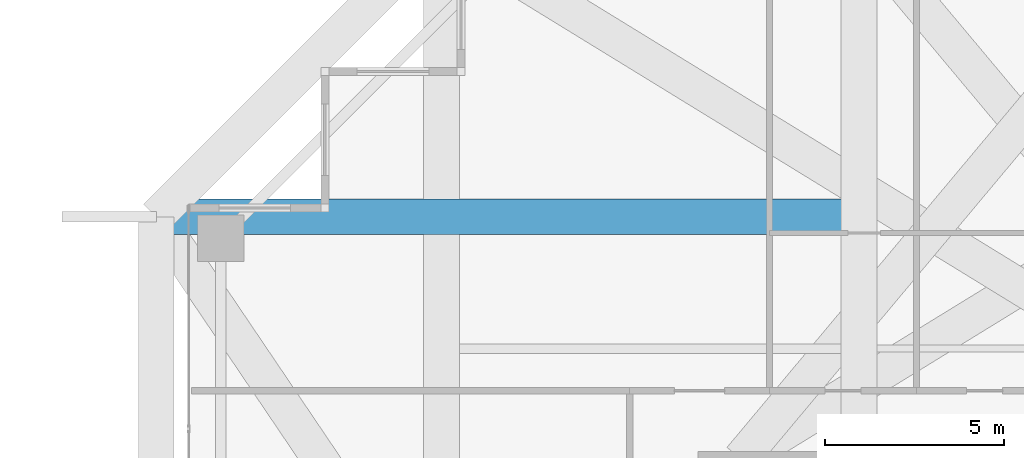
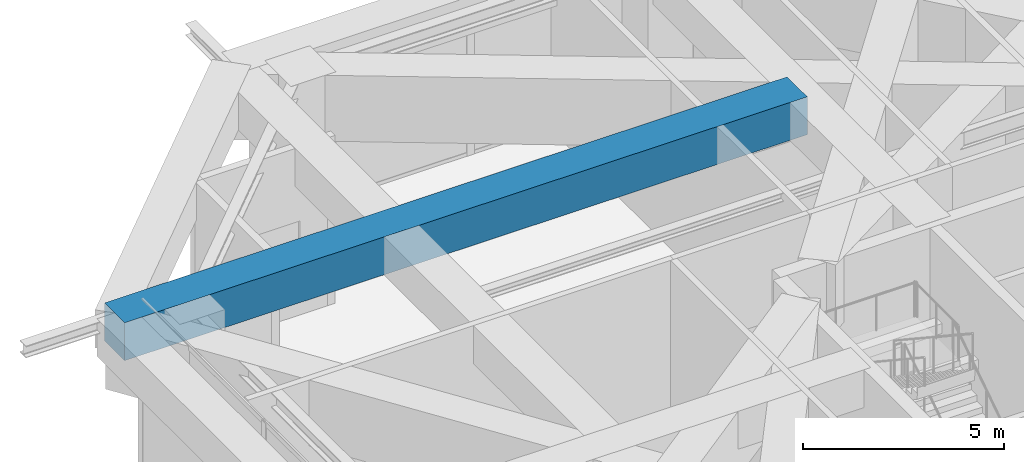
# One storey, part 19 of 38: 1 beam.
"""IFC4 building model written with IfcOpenShell, lengths in metres."""

from ifc_helpers import new_model, si_unit, direction, frame, origin, origin_2d, place, context, subcontext, project, spatial, rectangle, extrude, source, transform, mapped, material, material_profile, profile_set, type_object, element, save


model = new_model("IFC4")

# Units and contexts
model_context = context("Model", 3, precision=1e-05, world=origin(), true_north=direction((0.0, 1.0)))
body_context = subcontext(model_context, "Body", "Model", "MODEL_VIEW")
ifc_project = project(units=[si_unit("LENGTHUNIT", "METRE"), si_unit("AREAUNIT", "SQUARE_METRE"), si_unit("VOLUMEUNIT", "CUBIC_METRE"), si_unit("PLANEANGLEUNIT", "RADIAN"), si_unit("MASSUNIT", "GRAM", prefix="KILO")], contexts=[model_context])

# Site, building, storey
site_placement = place(None, origin())
site = spatial("IfcSite", under=ifc_project, at=site_placement, CompositionType="ELEMENT")
building_placement = place(site_placement, origin())
building = spatial("IfcBuilding", under=site, at=building_placement, Name="Serunith Strait Residences", CompositionType="ELEMENT")
storey_placement = place(building_placement, frame((0.0, 0.0, 204.89990234375)))
storey = spatial("IfcBuildingStorey", under=building, at=storey_placement, Name="L51", CompositionType="ELEMENT", Elevation=204.89990234375)

# Beam
ifc_material = material(Name="Concrete C80/95", Category="concrete")
ifc_material_profile = material_profile(ifc_material, rectangle(XDim=1.0, YDim=1.14990234375, at=origin_2d()), Name="RC 1000x1150")
ifc_profile_set = profile_set([ifc_material_profile], Name="Concrete C80/95")
beam_type = type_object("IfcBeamType", Name="BM-XFER-1000x1150", PredefinedType="BEAM", material=ifc_profile_set)
shared_shape = source(origin(), body_context, "Body", "SweptSolid", [
    extrude(rectangle(XDim=1.0, YDim=1.14990234375, at=origin_2d()), origin(), (0.0, 0.0, 1.0), 19.599853515625),
])
beam_placement = place(storey_placement, frame((27.89990234375, 40.35009765625, 4.53515625), z_axis=(-1.0, 0.0, 0.0), x_axis=(0.0, -1.0, 0.0)))
element("IfcBeam", 1, at=beam_placement, inside=storey, type_object=beam_type, Name="L51 Orthogonal Corner Girder TC-W4", PredefinedType="BEAM", context=body_context, shape_type="MappedRepresentation", body=[
    mapped(shared_shape, transform((0.0, 0.0, 0.0), scale=1.0)),
])

save(model, "model.ifc")
